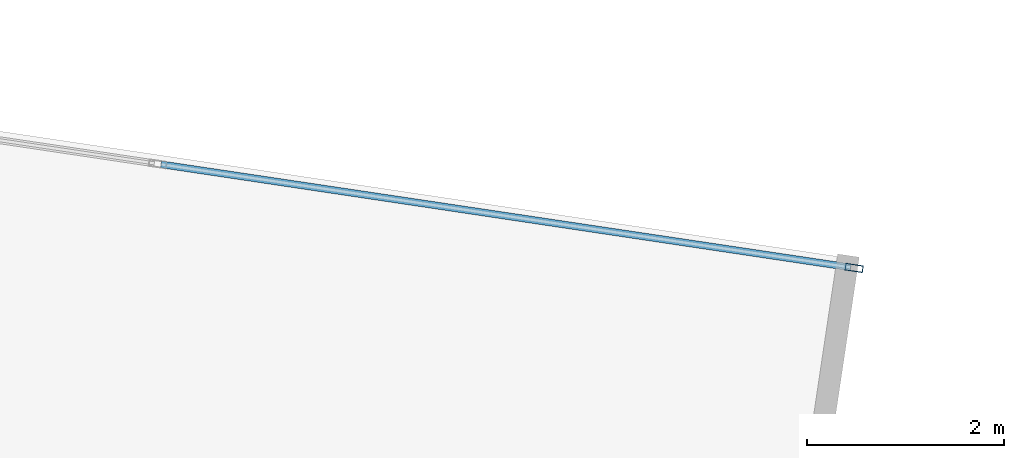
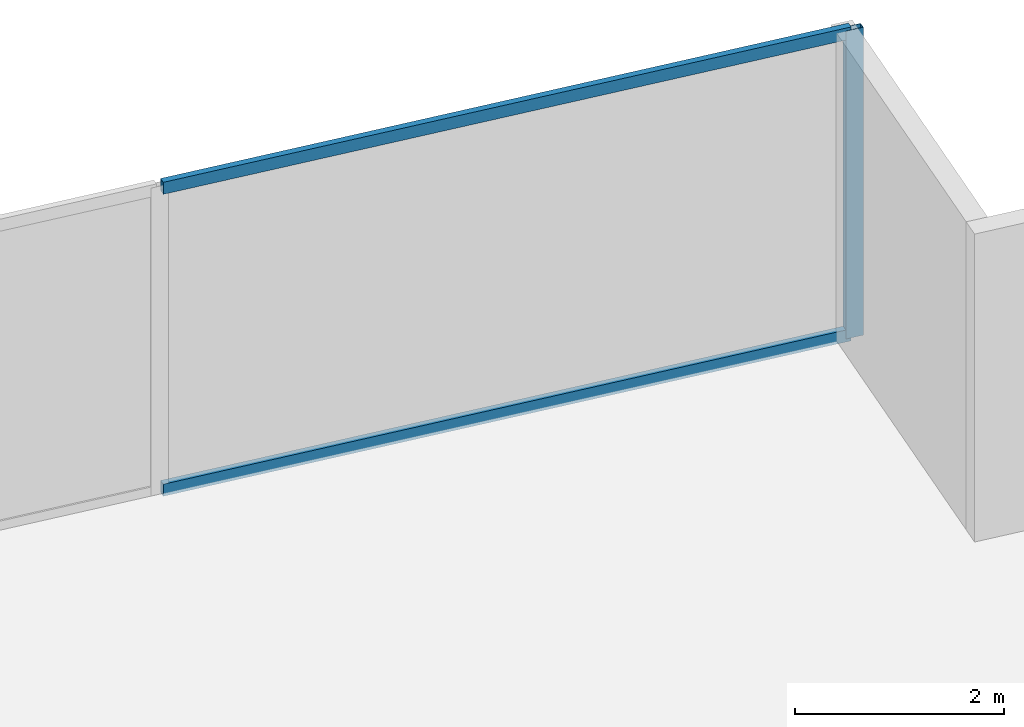
# One storey, part 23 of 29: 3 members, 1 element without a shape of its own.
"""IFC4 building model written with IfcOpenShell, lengths in metres."""

from ifc_helpers import new_model, si_unit, direction, frame, origin, origin_2d, place, context, subcontext, project, spatial, hollow_rectangle, extrude, source, transform, mapped, material, material_profile, profile_set, type_object, type_shapes, element, aggregate, save


model = new_model("IFC4")

# Units and contexts
model_context = context("Model", 3, precision=1e-05, world=origin(), true_north=direction((0.0, 1.0)))
body_context = subcontext(model_context, "Body", "Model", "MODEL_VIEW")
ifc_project = project(units=[si_unit("LENGTHUNIT", "METRE"), si_unit("AREAUNIT", "SQUARE_METRE"), si_unit("VOLUMEUNIT", "CUBIC_METRE"), si_unit("PLANEANGLEUNIT", "RADIAN"), si_unit("MASSUNIT", "GRAM", prefix="KILO")], contexts=[model_context])

# Site, building, storey
site_placement = place(None, origin())
site = spatial("IfcSite", under=ifc_project, at=site_placement, CompositionType="ELEMENT")
building_placement = place(site_placement, origin())
building = spatial("IfcBuilding", under=site, at=building_placement, Name="Krantzveldt Concourse Tower", CompositionType="ELEMENT")
storey_placement = place(building_placement, frame((0.0, 0.0, 76.35009765625)))
storey = spatial("IfcBuildingStorey", under=building, at=storey_placement, Name="L18", CompositionType="ELEMENT", Elevation=76.35009765625)

# Curtain wall, members
ifc_material = material(Name="Anodised aluminium 6063-T6", Category="aluminium")
curtain_wall_type = type_object("IfcCurtainWallType", Name="CW2", PredefinedType="USERDEFINED", material=ifc_material)
curtain_wall_placement = place(storey_placement, origin())
curtain_wall = element("IfcCurtainWall", 1, at=curtain_wall_placement, inside=storey, type_object=curtain_wall_type, Name="CW-L18-F10", ObjectType="UNITISED CURTAIN WALL", PredefinedType="USERDEFINED")
ifc_material_profile_1 = material_profile(ifc_material, hollow_rectangle(XDim=0.070068359375, YDim=0.139892578125, WallThickness=0.0048828125, at=origin_2d()), Name="Anodised aluminium 6063-T6", Category="aluminium")
ifc_profile_set_1 = profile_set([ifc_material_profile_1], Name="Anodised aluminium 6063-T6 - ALU-TRAN 140x70x5")
member_type_1 = type_object("IfcMemberType", Name="CW-TRN-150", PredefinedType="USERDEFINED", material=ifc_profile_set_1)
shared_shape_1 = source(origin(), body_context, "Body", "SweptSolid", [
    extrude(hollow_rectangle(XDim=0.070068359375, YDim=0.139892578125, WallThickness=0.0048828125, at=origin_2d()), origin(), (0.0, 0.0, 1.0), 7.061767578125),
])
type_shapes(member_type_1, [shared_shape_1])
member_1_placement = place(storey_placement, frame((60.87646484375, 48.1689453125, 0.034912109375), z_axis=(-0.989017605897, 0.147797751082, 0.0), x_axis=(-0.147797751082, -0.989017605897, 0.0)))
member_1 = element("IfcMember", 2, at=member_1_placement, type_object=member_type_1, Name="CW-Z12 transom 1.1", ObjectType="TRANSOM", PredefinedType="USERDEFINED", context=body_context, shape_type="MappedRepresentation", body=[
    mapped(shared_shape_1, transform((0.0, 0.0, 0.0), x_axis=(1.0, 0.0, 0.0), y_axis=(0.0, 1.0, 0.0), z_axis=(0.0, 0.0, 1.0), scale=1.0)),
])
member_2_placement = place(storey_placement, frame((60.87646484375, 48.1689453125, 3.554931640625), z_axis=(-0.989017605897, 0.147797751082, 0.0), x_axis=(-0.147797751082, -0.989017605897, 0.0)))
member_2 = element("IfcMember", 3, at=member_2_placement, type_object=member_type_1, Name="CW-Z12 transom 1.2", ObjectType="TRANSOM", PredefinedType="USERDEFINED", context=body_context, shape_type="MappedRepresentation", body=[
    mapped(shared_shape_1, transform((0.0, 0.0, 0.0), x_axis=(1.0, 0.0, 0.0), y_axis=(0.0, 1.0, 0.0), z_axis=(0.0, 0.0, 1.0), scale=1.0)),
])
ifc_material_profile_2 = material_profile(ifc_material, hollow_rectangle(XDim=0.070068359375, YDim=0.179931640625, WallThickness=0.0048828125, at=origin_2d()), Name="Anodised aluminium 6063-T6", Category="aluminium")
ifc_profile_set_2 = profile_set([ifc_material_profile_2], Name="Anodised aluminium 6063-T6 - ALU-MULL 180x70x5")
member_type_2 = type_object("IfcMemberType", Name="CW-MUL-180", PredefinedType="MULLION", material=ifc_profile_set_2)
shared_shape_2 = source(origin(), body_context, "Body", "SweptSolid", [
    extrude(hollow_rectangle(XDim=0.070068359375, YDim=0.179931640625, WallThickness=0.0048828125, at=origin_2d()), origin(), (0.0, 0.0, 1.0), 3.58984375),
])
type_shapes(member_type_2, [shared_shape_2])
member_3_placement = place(storey_placement, frame((60.9111328125, 48.16357421875, 0.0), z_axis=(0.0, 0.0, 1.0), x_axis=(-0.147809505412, -0.989015849271, 0.0)))
member_3 = element("IfcMember", 4, at=member_3_placement, type_object=member_type_2, Name="CW-Z12 mullion 1", PredefinedType="MULLION", context=body_context, shape_type="MappedRepresentation", body=[
    mapped(shared_shape_2, transform((0.0, 0.0, 0.0), x_axis=(1.0, 0.0, 0.0), y_axis=(0.0, 1.0, 0.0), z_axis=(0.0, 0.0, 1.0), scale=1.0)),
])
aggregate(curtain_wall, [member_3, member_1, member_2])

save(model, "model.ifc")
